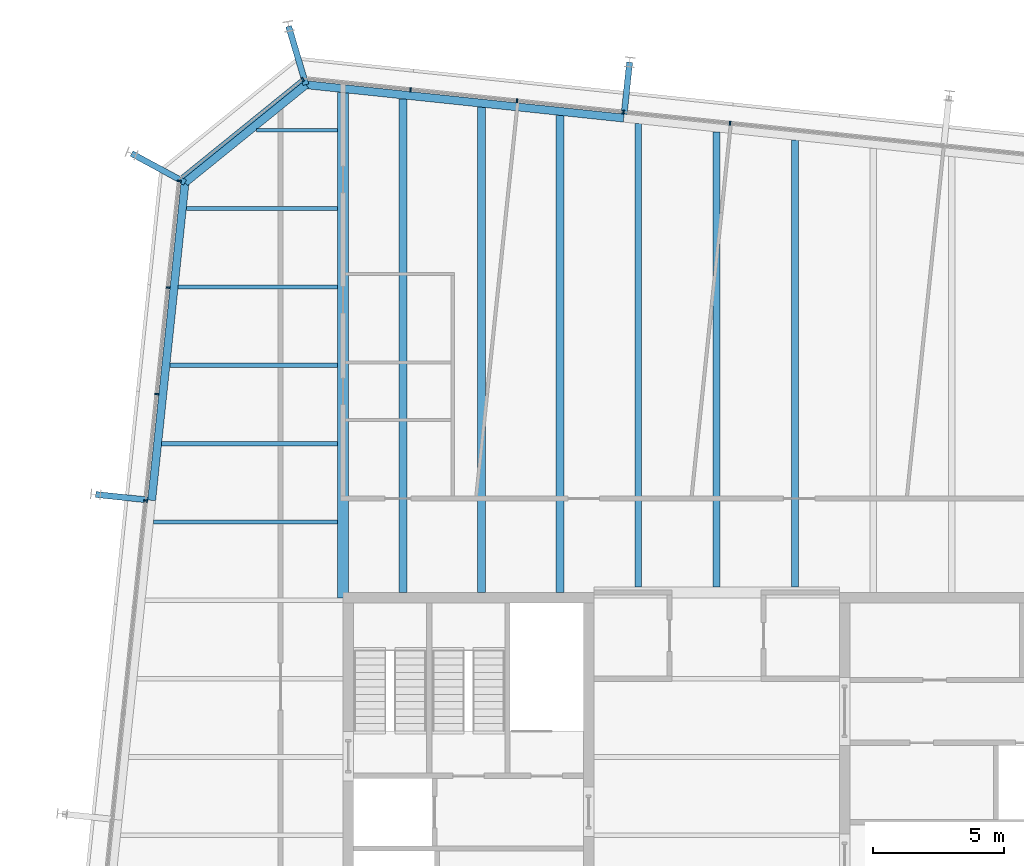
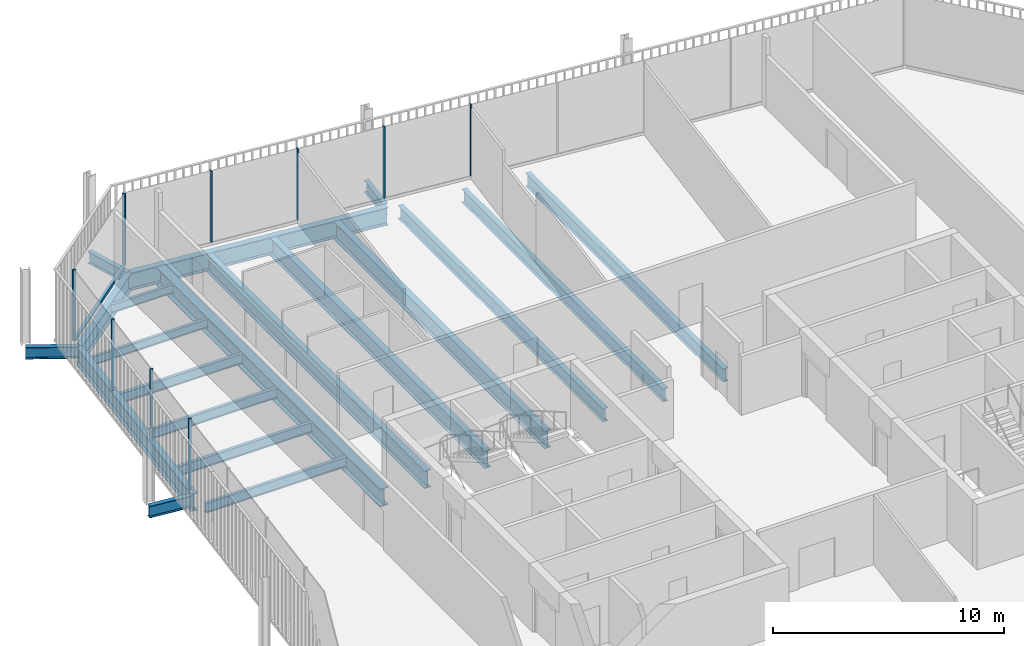
# One storey, part 12 of 19: 20 beams, 10 members, 3 elements without a shape of their own.
"""IFC4 building model written with IfcOpenShell, lengths in metres."""

from ifc_helpers import new_model, si_unit, direction, frame, origin, origin_2d, place, context, subcontext, project, spatial, rectangle, i_section, extrude, material, layer, layer_set, material_profile, profile_set, type_object, element, aggregate, save


model = new_model("IFC4")

# Units and contexts
model_context = context("Model", 3, precision=1e-05, world=origin(), true_north=direction((0.0, 1.0)))
body_context = subcontext(model_context, "Body", "Model", "MODEL_VIEW")
ifc_project = project(units=[si_unit("LENGTHUNIT", "METRE"), si_unit("AREAUNIT", "SQUARE_METRE"), si_unit("VOLUMEUNIT", "CUBIC_METRE"), si_unit("PLANEANGLEUNIT", "RADIAN"), si_unit("MASSUNIT", "GRAM", prefix="KILO")], contexts=[model_context])

# Site, building, storey
site_placement = place(None, origin())
site = spatial("IfcSite", under=ifc_project, at=site_placement, CompositionType="ELEMENT")
building_placement = place(site_placement, origin())
building = spatial("IfcBuilding", under=site, at=building_placement, Name="Millrace Tower", CompositionType="ELEMENT")
storey_placement = place(building_placement, frame((0.0, 0.0, 338.199951171875)))
storey = spatial("IfcBuildingStorey", under=building, at=storey_placement, Name="L78", CompositionType="ELEMENT", Elevation=338.199951171875)

# Curtain wall, members
ifc_material_1 = material(Name="Aluminium and glass", Category="aluminium")
ifc_layer = layer(ifc_material_1, 0.14990234375)
ifc_layer_set = layer_set([ifc_layer], Name="Aluminium and glass")
curtain_wall_type = type_object("IfcCurtainWallType", Name="CW-1 office vision curtain wall", PredefinedType="NOTDEFINED", material=ifc_layer_set)
placement = place(storey_placement, origin())
curtain_wall_1 = element("IfcCurtainWall", 1, at=placement, inside=storey, type_object=curtain_wall_type, Name="Curtain wall E-F06 L78", PredefinedType="NOTDEFINED")
ifc_material_2 = material(Name="Aluminium", Category="aluminium")
ifc_material_profile_1 = material_profile(ifc_material_2, rectangle(XDim=0.06494140625, YDim=0.14990234375, at=origin_2d()))
ifc_profile_set_1 = profile_set([ifc_material_profile_1], Name="Aluminium")
member_type_1 = type_object("IfcMemberType", Name="CW-1 office vision curtain wall mullion", PredefinedType="MULLION", material=ifc_profile_set_1)
member_1_placement = place(storey_placement, frame((0.514892578125, 27.267578125, 0.14013671875), z_axis=(0.0, 0.0, 1.0), x_axis=(-0.994521896217, 0.104528455196, 0.0)))
member_1 = element("IfcMember", 2, at=member_1_placement, type_object=member_type_1, Name="CW1 mullion E-F06.6", PredefinedType="MULLION", context=body_context, shape_type="SweptSolid", body=[
    extrude(rectangle(XDim=0.06494140625, YDim=0.14990234375, at=origin_2d()), origin(), (0.0, 0.0, 1.0), 3.760009765625),
])
member_2_placement = place(storey_placement, frame((-3.562744140625, 27.6962890625, 0.14013671875), z_axis=(0.0, 0.0, 1.0), x_axis=(-0.994521896217, 0.104528455196, 0.0)))
member_2 = element("IfcMember", 3, at=member_2_placement, type_object=member_type_1, Name="CW1 mullion E-F06.7", PredefinedType="MULLION", context=body_context, shape_type="SweptSolid", body=[
    extrude(rectangle(XDim=0.06494140625, YDim=0.14990234375, at=origin_2d()), origin(), (0.0, 0.0, 1.0), 3.760009765625),
])
member_3_placement = place(storey_placement, frame((-7.640380859375, 28.124755859375, 0.14013671875), z_axis=(0.0, 0.0, 1.0), x_axis=(-0.994521896217, 0.104528455196, 0.0)))
member_3 = element("IfcMember", 4, at=member_3_placement, type_object=member_type_1, Name="CW1 mullion E-F06.8", PredefinedType="MULLION", context=body_context, shape_type="SweptSolid", body=[
    extrude(rectangle(XDim=0.06494140625, YDim=0.14990234375, at=origin_2d()), origin(), (0.0, 0.0, 1.0), 3.760009765625),
])
member_4_placement = place(storey_placement, frame((-11.7177734375, 28.55322265625, 0.14013671875), z_axis=(0.0, 0.0, 1.0), x_axis=(-0.994521896217, 0.104528455196, 0.0)))
member_4 = element("IfcMember", 5, at=member_4_placement, type_object=member_type_1, Name="CW1 mullion E-F06.9", PredefinedType="MULLION", context=body_context, shape_type="SweptSolid", body=[
    extrude(rectangle(XDim=0.06494140625, YDim=0.14990234375, at=origin_2d()), origin(), (0.0, 0.0, 1.0), 3.760009765625),
])
aggregate(curtain_wall_1, [member_1, member_2, member_3, member_4])

# Curtain wall, member
curtain_wall_2 = element("IfcCurtainWall", 6, at=placement, inside=storey, type_object=curtain_wall_type, Name="Curtain wall E-F07 L78", PredefinedType="NOTDEFINED")
member_5_placement = place(storey_placement, frame((-15.84326171875, 28.941650390625, 0.14013671875), z_axis=(0.0, 0.0, 1.0), x_axis=(-0.777146052237, -0.629320278945, 0.0)))
member_5 = element("IfcMember", 7, at=member_5_placement, type_object=member_type_1, Name="CW1 mullion E-F07.1", PredefinedType="MULLION", context=body_context, shape_type="SweptSolid", body=[
    extrude(rectangle(XDim=0.06494140625, YDim=0.14990234375, at=origin_2d()), origin(), (0.0, 0.0, 1.0), 3.760009765625),
])

# Curtain wall, members
curtain_wall_3 = element("IfcCurtainWall", 8, at=placement, inside=storey, type_object=curtain_wall_type, Name="Curtain wall E-F08 L78", PredefinedType="NOTDEFINED")
member_6_placement = place(storey_placement, frame((-20.57470703125, 25.052490234375, 0.14013671875), z_axis=(0.0, 0.0, 1.0), x_axis=(-0.104528455196, -0.994521896217, 0.0)))
member_6 = element("IfcMember", 9, at=member_6_placement, type_object=member_type_1, Name="CW1 mullion E-F08.1", PredefinedType="MULLION", context=body_context, shape_type="SweptSolid", body=[
    extrude(rectangle(XDim=0.06494140625, YDim=0.14990234375, at=origin_2d()), origin(), (0.0, 0.0, 1.0), 3.760009765625),
])
member_7_placement = place(storey_placement, frame((-21.00341796875, 20.974853515625, 0.14013671875), z_axis=(0.0, 0.0, 1.0), x_axis=(-0.104528455196, -0.994521896217, 0.0)))
member_7 = element("IfcMember", 10, at=member_7_placement, type_object=member_type_1, Name="CW1 mullion E-F08.2", PredefinedType="MULLION", context=body_context, shape_type="SweptSolid", body=[
    extrude(rectangle(XDim=0.06494140625, YDim=0.14990234375, at=origin_2d()), origin(), (0.0, 0.0, 1.0), 3.760009765625),
])
member_8_placement = place(storey_placement, frame((-21.431884765625, 16.8974609375, 0.14013671875), z_axis=(0.0, 0.0, 1.0), x_axis=(-0.104528455196, -0.994521896217, 0.0)))
member_8 = element("IfcMember", 11, at=member_8_placement, type_object=member_type_1, Name="CW1 mullion E-F08.3", PredefinedType="MULLION", context=body_context, shape_type="SweptSolid", body=[
    extrude(rectangle(XDim=0.06494140625, YDim=0.14990234375, at=origin_2d()), origin(), (0.0, 0.0, 1.0), 3.760009765625),
])
member_9_placement = place(storey_placement, frame((-21.860595703125, 12.81982421875, 0.14013671875), z_axis=(0.0, 0.0, 1.0), x_axis=(-0.104528455196, -0.994521896217, 0.0)))
member_9 = element("IfcMember", 12, at=member_9_placement, type_object=member_type_1, Name="CW1 mullion E-F08.4", PredefinedType="MULLION", context=body_context, shape_type="SweptSolid", body=[
    extrude(rectangle(XDim=0.06494140625, YDim=0.14990234375, at=origin_2d()), origin(), (0.0, 0.0, 1.0), 3.760009765625),
])
aggregate(curtain_wall_3, [member_6, member_7, member_8, member_9])

# Member
ifc_material_3 = material(Name="Aluminium", Category="aluminium")
ifc_material_profile_2 = material_profile(ifc_material_3, rectangle(XDim=0.14990234375, YDim=0.139892578125, at=origin_2d()))
ifc_profile_set_2 = profile_set([ifc_material_profile_2], Name="Aluminium")
member_type_2 = type_object("IfcMemberType", Name="CW-1 office vision curtain wall transom", PredefinedType="USERDEFINED", material=ifc_profile_set_2)
member_10_placement = place(storey_placement, frame((-15.895751953125, 28.899169921875, 0.070068359375), z_axis=(-0.777165591695, -0.629296148951, 0.0), x_axis=(0.629296148951, -0.777165591695, 0.0)))
member_10 = element("IfcMember", 13, at=member_10_placement, type_object=member_type_2, Name="CW1 transom E-F07.1", ObjectType="TRANSOM", PredefinedType="USERDEFINED", context=body_context, shape_type="SweptSolid", body=[
    extrude(rectangle(XDim=0.14990234375, YDim=0.139892578125, at=origin_2d()), origin(), (0.0, 0.0, 1.0), 5.881103515625),
])

aggregate(curtain_wall_2, [member_5, member_10])

# Beams
ifc_material_4 = material(Name="Steel ASTM A992 Grade 50", Category="steel")
ifc_material_profile_3 = material_profile(ifc_material_4, i_section(OverallWidth=0.15234375, OverallDepth=0.449462890625, WebThickness=0.007568359375, FlangeThickness=0.0107421875, FilletRadius=0.01025390625, at=origin_2d()))
ifc_profile_set_3 = profile_set([ifc_material_profile_3], Name="Steel ASTM A992 Grade 50")
beam_type_1 = type_object("IfcBeamType", Name="Floor beam W18x35", PredefinedType="JOIST", material=ifc_profile_set_3)
beam_1_placement = place(storey_placement, frame((-20.301025390625, 24.0, -0.384765625), z_axis=(1.0, 0.0, 0.0), x_axis=(0.0, 1.0, 0.0)))
element("IfcBeam", 14, at=beam_1_placement, inside=storey, type_object=beam_type_1, Name="BM-E-L78-S1-S033", PredefinedType="JOIST", context=body_context, shape_type="SweptSolid", body=[
    extrude(i_section(OverallWidth=0.15234375, OverallDepth=0.449462890625, WebThickness=0.007568359375, FlangeThickness=0.0107421875, FilletRadius=0.01025390625, at=origin_2d()), origin(), (0.0, 0.0, 1.0), 5.79150390625),
])
beam_2_placement = place(storey_placement, frame((-17.609619140625, 27.0, -0.384765625), z_axis=(1.0, 0.0, 0.0), x_axis=(0.0, 1.0, 0.0)))
element("IfcBeam", 15, at=beam_2_placement, inside=storey, type_object=beam_type_1, Name="BM-E-L78-S1-S035", PredefinedType="JOIST", context=body_context, shape_type="SweptSolid", body=[
    extrude(i_section(OverallWidth=0.15234375, OverallDepth=0.449462890625, WebThickness=0.007568359375, FlangeThickness=0.0107421875, FilletRadius=0.01025390625, at=origin_2d()), origin(), (0.0, 0.0, 1.0), 3.10009765625),
])
ifc_material_5 = material(Name="Steel ASTM A992 Grade 50", Category="steel")
ifc_material_profile_4 = material_profile(ifc_material_5, i_section(OverallWidth=0.1650390625, OverallDepth=0.52587890625, WebThickness=0.0087890625, FlangeThickness=0.011474609375, FilletRadius=0.0126953125, at=origin_2d()))
ifc_profile_set_4 = profile_set([ifc_material_profile_4], Name="Steel ASTM A992 Grade 50")
beam_type_2 = type_object("IfcBeamType", Name="Floor beam W21x44", PredefinedType="JOIST", material=ifc_profile_set_4)
beam_3_placement = place(storey_placement, frame((-21.562255859375, 12.0, -0.4228515625), z_axis=(1.0, 0.0, 0.0), x_axis=(0.0, 1.0, 0.0)))
element("IfcBeam", 16, at=beam_3_placement, inside=storey, type_object=beam_type_2, Name="BM-E-L78-S1-S025", PredefinedType="JOIST", context=body_context, shape_type="SweptSolid", body=[
    extrude(i_section(OverallWidth=0.1650390625, OverallDepth=0.52587890625, WebThickness=0.0087890625, FlangeThickness=0.011474609375, FilletRadius=0.0126953125, at=origin_2d()), origin(), (0.0, 0.0, 1.0), 7.052734375),
])
beam_4_placement = place(storey_placement, frame((-21.246826171875, 15.0, -0.4228515625), z_axis=(1.0, 0.0, 0.0), x_axis=(0.0, 1.0, 0.0)))
element("IfcBeam", 17, at=beam_4_placement, inside=storey, type_object=beam_type_2, Name="BM-E-L78-S1-S027", PredefinedType="JOIST", context=body_context, shape_type="SweptSolid", body=[
    extrude(i_section(OverallWidth=0.1650390625, OverallDepth=0.52587890625, WebThickness=0.0087890625, FlangeThickness=0.011474609375, FilletRadius=0.0126953125, at=origin_2d()), origin(), (0.0, 0.0, 1.0), 6.7373046875),
])
beam_5_placement = place(storey_placement, frame((-20.931640625, 18.0, -0.4228515625), z_axis=(1.0, 0.0, 0.0), x_axis=(0.0, 1.0, 0.0)))
element("IfcBeam", 18, at=beam_5_placement, inside=storey, type_object=beam_type_2, Name="BM-E-L78-S1-S029", PredefinedType="JOIST", context=body_context, shape_type="SweptSolid", body=[
    extrude(i_section(OverallWidth=0.1650390625, OverallDepth=0.52587890625, WebThickness=0.0087890625, FlangeThickness=0.011474609375, FilletRadius=0.0126953125, at=origin_2d()), origin(), (0.0, 0.0, 1.0), 6.422119140625),
])
beam_6_placement = place(storey_placement, frame((-20.6162109375, 21.0, -0.4228515625), z_axis=(1.0, 0.0, 0.0), x_axis=(0.0, 1.0, 0.0)))
element("IfcBeam", 19, at=beam_6_placement, inside=storey, type_object=beam_type_2, Name="BM-E-L78-S1-S031", PredefinedType="JOIST", context=body_context, shape_type="SweptSolid", body=[
    extrude(i_section(OverallWidth=0.1650390625, OverallDepth=0.52587890625, WebThickness=0.0087890625, FlangeThickness=0.011474609375, FilletRadius=0.0126953125, at=origin_2d()), origin(), (0.0, 0.0, 1.0), 6.106689453125),
])
ifc_material_6 = material(Name="Steel ASTM A992 Grade 50", Category="steel")
ifc_material_profile_5 = material_profile(ifc_material_6, i_section(OverallWidth=0.256591796875, OverallDepth=0.693359375, WebThickness=0.014404296875, FlangeThickness=0.023681640625, FilletRadius=0.01513671875, at=origin_2d()))
ifc_profile_set_5 = profile_set([ifc_material_profile_5], Name="Steel ASTM A992 Grade 50")
beam_type_3 = type_object("IfcBeamType", Name="Floor beam W27x114", PredefinedType="JOIST", material=ifc_profile_set_5)
beam_7_placement = place(storey_placement, frame((-3.0, 9.509521484375, -0.506591796875), z_axis=(0.0, 1.0, 0.0), x_axis=(-1.0, 0.0, 0.0)))
element("IfcBeam", 20, at=beam_7_placement, inside=storey, type_object=beam_type_3, Name="BM-E-L78-S1-S042", PredefinedType="JOIST", context=body_context, shape_type="SweptSolid", body=[
    extrude(i_section(OverallWidth=0.256591796875, OverallDepth=0.693359375, WebThickness=0.014404296875, FlangeThickness=0.023681640625, FilletRadius=0.01513671875, at=origin_2d()), origin(), (0.0, 0.0, 1.0), 17.7431640625),
])
beam_8_placement = place(storey_placement, frame((0.0, 9.509521484375, -0.506591796875), z_axis=(0.0, 1.0, 0.0), x_axis=(-1.0, 0.0, 0.0)))
element("IfcBeam", 21, at=beam_8_placement, inside=storey, type_object=beam_type_3, Name="BM-E-L78-S1-S044", PredefinedType="JOIST", context=body_context, shape_type="SweptSolid", body=[
    extrude(i_section(OverallWidth=0.256591796875, OverallDepth=0.693359375, WebThickness=0.014404296875, FlangeThickness=0.023681640625, FilletRadius=0.01513671875, at=origin_2d()), origin(), (0.0, 0.0, 1.0), 17.427734375),
])
beam_9_placement = place(storey_placement, frame((3.0, 9.509521484375, -0.506591796875), z_axis=(0.0, 1.0, 0.0), x_axis=(-1.0, 0.0, 0.0)))
element("IfcBeam", 22, at=beam_9_placement, inside=storey, type_object=beam_type_3, Name="BM-E-L78-S1-S046", PredefinedType="JOIST", context=body_context, shape_type="SweptSolid", body=[
    extrude(i_section(OverallWidth=0.256591796875, OverallDepth=0.693359375, WebThickness=0.014404296875, FlangeThickness=0.023681640625, FilletRadius=0.01513671875, at=origin_2d()), origin(), (0.0, 0.0, 1.0), 17.112548828125),
])
ifc_material_7 = material(Name="Steel ASTM A992 Grade 50", Category="steel")
ifc_material_profile_6 = material_profile(ifc_material_7, i_section(OverallWidth=0.307373046875, OverallDepth=0.927001953125, WebThickness=0.01953125, FlangeThickness=0.031982421875, FilletRadius=0.01904296875, at=origin_2d()))
ifc_profile_set_6 = profile_set([ifc_material_profile_6], Name="Steel ASTM A992 Grade 50")
beam_type_4 = type_object("IfcBeamType", Name="Floor beam W36x194", PredefinedType="JOIST", material=ifc_profile_set_6)
beam_10_placement = place(storey_placement, frame((-12.0, 9.300048828125, -0.62353515625), z_axis=(0.0, 1.0, 0.0), x_axis=(-1.0, 0.0, 0.0)))
element("IfcBeam", 23, at=beam_10_placement, inside=storey, type_object=beam_type_4, Name="BM-E-L78-S1-S036", PredefinedType="JOIST", context=body_context, shape_type="SweptSolid", body=[
    extrude(i_section(OverallWidth=0.307373046875, OverallDepth=0.927001953125, WebThickness=0.01953125, FlangeThickness=0.031982421875, FilletRadius=0.01904296875, at=origin_2d()), origin(), (0.0, 0.0, 1.0), 18.8984375),
])
beam_11_placement = place(storey_placement, frame((-9.0, 9.300048828125, -0.62353515625), z_axis=(0.0, 1.0, 0.0), x_axis=(-1.0, 0.0, 0.0)))
element("IfcBeam", 24, at=beam_11_placement, inside=storey, type_object=beam_type_4, Name="BM-E-L78-S1-S038", PredefinedType="JOIST", context=body_context, shape_type="SweptSolid", body=[
    extrude(i_section(OverallWidth=0.307373046875, OverallDepth=0.927001953125, WebThickness=0.01953125, FlangeThickness=0.031982421875, FilletRadius=0.01904296875, at=origin_2d()), origin(), (0.0, 0.0, 1.0), 18.583251953125),
])
beam_12_placement = place(storey_placement, frame((-6.0, 9.300048828125, -0.62353515625), z_axis=(0.0, 1.0, 0.0), x_axis=(-1.0, 0.0, 0.0)))
element("IfcBeam", 25, at=beam_12_placement, inside=storey, type_object=beam_type_4, Name="BM-E-L78-S1-S040", PredefinedType="JOIST", context=body_context, shape_type="SweptSolid", body=[
    extrude(i_section(OverallWidth=0.307373046875, OverallDepth=0.927001953125, WebThickness=0.01953125, FlangeThickness=0.031982421875, FilletRadius=0.01904296875, at=origin_2d()), origin(), (0.0, 0.0, 1.0), 18.267822265625),
])
ifc_material_8 = material(Name="Steel ASTM A992 Grade 50", Category="steel")
ifc_material_profile_7 = material_profile(ifc_material_8, i_section(OverallWidth=0.424072265625, OverallDepth=0.947509765625, WebThickness=0.02392578125, FlangeThickness=0.042724609375, FilletRadius=0.024169921875, at=origin_2d()))
ifc_profile_set_7 = profile_set([ifc_material_profile_7], Name="Steel ASTM A992 Grade 50")
beam_type_5 = type_object("IfcBeamType", Name="Girder medium span W36x302", PredefinedType="BEAM", material=ifc_profile_set_7)
beam_13_placement = place(storey_placement, frame((-14.300048828125, 9.083984375, -0.633544921875), z_axis=(0.0, 1.0, 0.0), x_axis=(-1.0, 0.0, 0.0)))
element("IfcBeam", 26, at=beam_13_placement, inside=storey, type_object=beam_type_5, Name="BM-E-L78-S1-G054", PredefinedType="BEAM", context=body_context, shape_type="SweptSolid", body=[
    extrude(i_section(OverallWidth=0.424072265625, OverallDepth=0.947509765625, WebThickness=0.02392578125, FlangeThickness=0.042724609375, FilletRadius=0.024169921875, at=origin_2d()), origin(), (0.0, 0.0, 1.0), 19.356201171875),
])
ifc_material_9 = material(Name="Steel ASTM A992 Grade 50", Category="steel")
ifc_material_profile_8 = material_profile(ifc_material_9, i_section(OverallWidth=0.23046875, OverallDepth=0.6171875, WebThickness=0.01318359375, FlangeThickness=0.022216796875, FilletRadius=0.012939453125, at=origin_2d()))
ifc_profile_set_8 = profile_set([ifc_material_profile_8], Name="Steel ASTM A992 Grade 50")
beam_type_6 = type_object("IfcBeamType", Name="Link beam W24x94", PredefinedType="BEAM", material=ifc_profile_set_8)
beam_14_placement = place(storey_placement, frame((-21.782470703125, 12.84423828125, -0.468505859375), z_axis=(-0.994512808172, 0.104614886044, 0.0), x_axis=(-0.104614886044, -0.994512808172, 0.0)))
element("IfcBeam", 27, at=beam_14_placement, inside=storey, type_object=beam_type_6, Name="LNK-E-L78-S1-03", PredefinedType="BEAM", context=body_context, shape_type="SweptSolid", body=[
    extrude(i_section(OverallWidth=0.23046875, OverallDepth=0.6171875, WebThickness=0.01318359375, FlangeThickness=0.022216796875, FilletRadius=0.012939453125, at=origin_2d()), origin(), (0.0, 0.0, 1.0), 2.0),
])
for number, where, z_axis, x_axis, name in (
    (28, (-20.3505859375, 24.99755859375, -0.468505859375), (-0.87881453358, 0.477163510307, 0.0), (-0.477163510307, -0.87881453358, 0.0), "LNK-E-L78-S1-04"),
    (29, (-15.7236328125, 28.744384765625, -0.468505859375), (-0.284031275065, 0.958815015936, 0.0), (-0.958815015936, -0.284031275065, 0.0), "LNK-E-L78-S1-05"),
):
    element("IfcBeam", number, at=place(storey_placement, frame(where, z_axis=z_axis, x_axis=x_axis)), inside=storey, type_object=beam_type_6, Name=name, PredefinedType="BEAM", context=body_context, shape_type="SweptSolid", body=[
        extrude(i_section(OverallWidth=0.23046875, OverallDepth=0.6171875, WebThickness=0.01318359375, FlangeThickness=0.022216796875, FilletRadius=0.012939453125, at=origin_2d()), origin(), (0.0, 0.0, 1.0), 2.3310546875),
    ])
beam_15_placement = place(storey_placement, frame((-3.538330078125, 27.6181640625, -0.468505859375), z_axis=(0.104494148666, 0.99452550138, 0.0), x_axis=(-0.99452550138, 0.104494148666, 0.0)))
element("IfcBeam", 30, at=beam_15_placement, inside=storey, type_object=beam_type_6, Name="LNK-E-L78-S1-06", PredefinedType="BEAM", context=body_context, shape_type="SweptSolid", body=[
    extrude(i_section(OverallWidth=0.23046875, OverallDepth=0.6171875, WebThickness=0.01318359375, FlangeThickness=0.022216796875, FilletRadius=0.012939453125, at=origin_2d()), origin(), (0.0, 0.0, 1.0), 2.0),
])
ifc_material_10 = material(Name="Steel ASTM A992 Grade 50", Category="steel")
ifc_material_profile_9 = material_profile(ifc_material_10, i_section(OverallWidth=0.307373046875, OverallDepth=0.927001953125, WebThickness=0.01953125, FlangeThickness=0.031982421875, FilletRadius=0.01904296875, at=origin_2d()))
ifc_profile_set_9 = profile_set([ifc_material_profile_9], Name="Steel ASTM A992 Grade 50")
beam_type_7 = type_object("IfcBeamType", Name="Ring beam medium span W36x194", PredefinedType="SPANDREL", material=ifc_profile_set_9)
for number, where, z_axis, x_axis, name in (
    (31, (-21.629638671875, 12.828369140625, -0.62353515625), (0.104530030035, 0.994521730693, 0.0), (-0.994521730693, 0.104530030035, 0.0), "RNG-E-L78-S1-03"),
    (32, (-15.7236328125, 28.744384765625, -0.62353515625), (0.994521730693, -0.104530030035, 0.0), (0.104530030035, 0.994521730693, 0.0), "RNG-E-L78-S1-05"),
):
    element("IfcBeam", number, at=place(storey_placement, frame(where, z_axis=z_axis, x_axis=x_axis)), inside=storey, type_object=beam_type_7, Name=name, PredefinedType="SPANDREL", context=body_context, shape_type="SweptSolid", body=[
        extrude(i_section(OverallWidth=0.307373046875, OverallDepth=0.927001953125, WebThickness=0.01953125, FlangeThickness=0.031982421875, FilletRadius=0.01904296875, at=origin_2d()), origin(), (0.0, 0.0, 1.0), 12.236328125),
    ])
ifc_material_11 = material(Name="Steel ASTM A992 Grade 50", Category="steel")
ifc_material_profile_10 = material_profile(ifc_material_11, i_section(OverallWidth=0.307373046875, OverallDepth=0.927001953125, WebThickness=0.01953125, FlangeThickness=0.031982421875, FilletRadius=0.01904296875, at=origin_2d()))
ifc_profile_set_10 = profile_set([ifc_material_profile_10], Name="Steel ASTM A992 Grade 50")
beam_type_8 = type_object("IfcBeamType", Name="Ring beam short span W36x194", PredefinedType="SPANDREL", material=ifc_profile_set_10)
beam_16_placement = place(storey_placement, frame((-20.3505859375, 24.99755859375, -0.62353515625), z_axis=(0.777146502883, 0.629319722443, 0.0), x_axis=(-0.629319722443, 0.777146502883, 0.0)))
element("IfcBeam", 33, at=beam_16_placement, inside=storey, type_object=beam_type_8, Name="RNG-E-L78-S1-04", PredefinedType="SPANDREL", context=body_context, shape_type="SweptSolid", body=[
    extrude(i_section(OverallWidth=0.307373046875, OverallDepth=0.927001953125, WebThickness=0.01953125, FlangeThickness=0.031982421875, FilletRadius=0.01904296875, at=origin_2d()), origin(), (0.0, 0.0, 1.0), 5.953857421875),
])

save(model, "model.ifc")
